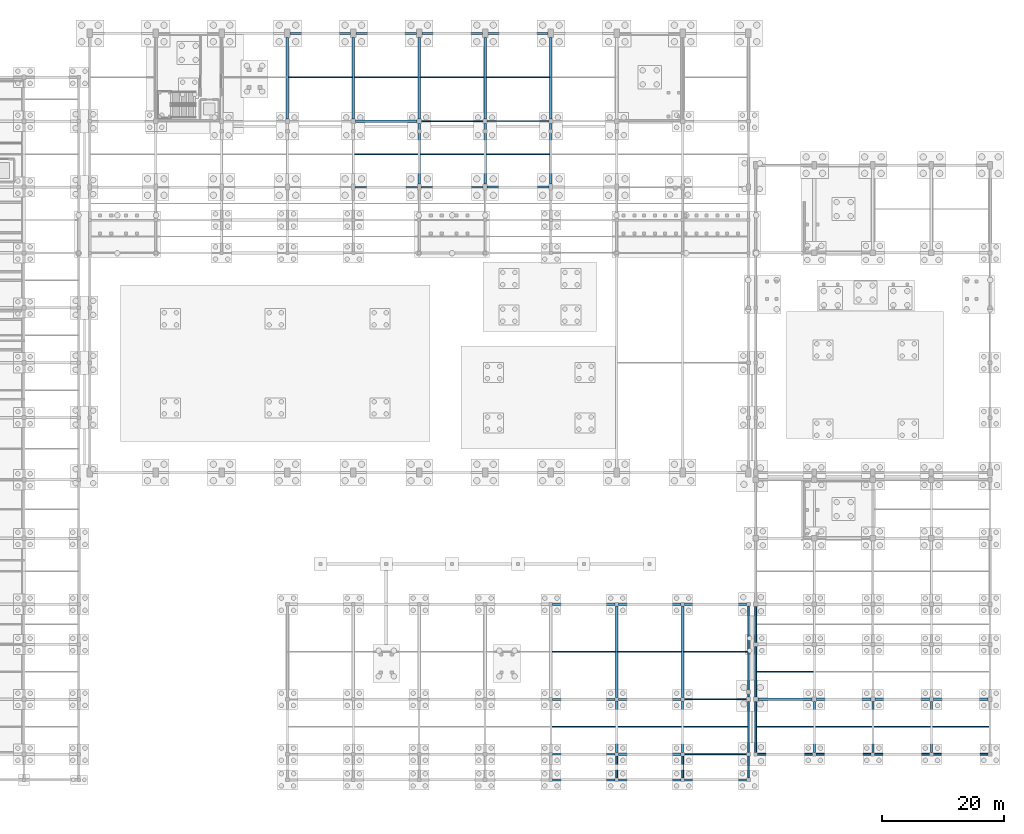
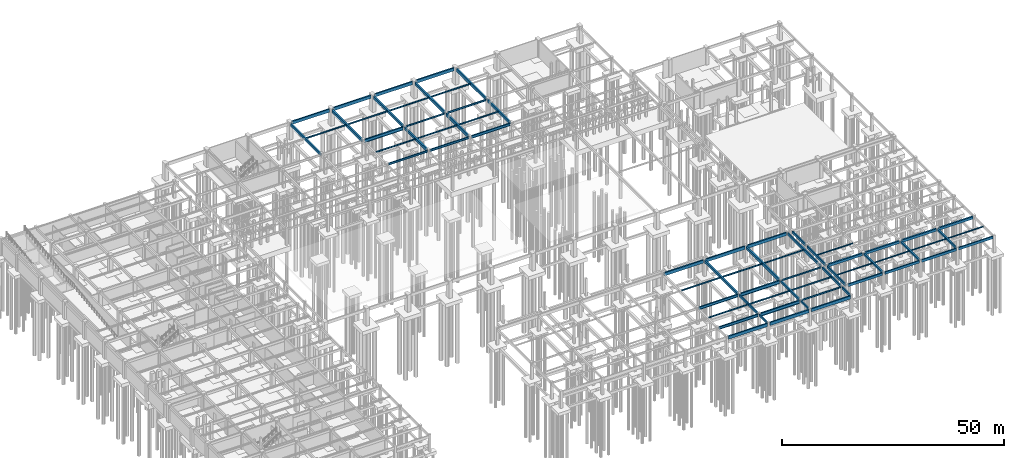
# One storey, part 18 of 33: 71 beams.
"""IFC4 building model written with IfcOpenShell, lengths in metres."""

import ifcopenshell
import ifcopenshell.guid

model = None  # the IFC model being written
_history = None  # IfcOwnerHistory: only IFC2X3 demands one
_inside = {}  # id of a spatial element -> (the spatial element, [elements in it])
_under = {}  # id of a project, library or spatial element -> (it, [spatial elements below it])
_declared = {}  # id of a project -> (the project, [libraries it declares])
_typed = {}  # id of a type object -> (the type object, [elements of that type])
_made_of = {}  # id of a material, layer set ... -> (it, [elements and type objects made of it])


def new_model(schema):
    """Start an empty IFC model of exactly this schema.

    Asked for "IFC4X3", IfcOpenShell would pick the latest addendum, in which some entities
    have other attributes; the version numbers below select the first issue.
    IFC2X3 requires an IfcOwnerHistory on every rooted entity: one is made here for all.
    """
    global model, _history
    if schema == "IFC4X3":
        model = ifcopenshell.file(schema_version=(4, 3, 0, 0))
    else:
        model = ifcopenshell.file(schema=schema)
    _inside.clear()
    _under.clear()
    _declared.clear()
    _typed.clear()
    _made_of.clear()
    _history = None
    if model.schema == "IFC2X3":
        org = make("IfcOrganization", Name="unknown")
        user = make(
            "IfcPersonAndOrganization",
            ThePerson=make("IfcPerson", FamilyName="unknown"),
            TheOrganization=org,
        )
        app = make(
            "IfcApplication",
            ApplicationDeveloper=org,
            Version="unknown",
            ApplicationFullName="unknown",
            ApplicationIdentifier="unknown",
        )
        _history = make(
            "IfcOwnerHistory",
            OwningUser=user,
            OwningApplication=app,
            ChangeAction="ADDED",
            CreationDate=0,
        )
    return model


def make(cls, **values):
    """One entity of the class cls with the attributes given. An attribute that is None is left unset."""
    return model.create_entity(
        cls, **{name: value for name, value in values.items() if value is not None}
    )


def rooted(cls, **values):
    """An entity with a GlobalId (a new one), such as an element, a storey or a relation."""
    return make(cls, GlobalId=ifcopenshell.guid.new(), OwnerHistory=_history, **values)


def si_unit(unit_type, name, prefix=None):
    """IfcSIUnit, for example si_unit("LENGTHUNIT", "METRE", prefix="MILLI")."""
    return make("IfcSIUnit", UnitType=unit_type, Prefix=prefix, Name=name)


def assignment(units):
    """IfcUnitAssignment: the units of a project."""
    return None if units is None else make("IfcUnitAssignment", Units=units)


def point(xyz):
    """IfcCartesianPoint."""
    return None if xyz is None else make("IfcCartesianPoint", Coordinates=xyz)


def direction(xyz):
    """IfcDirection."""
    return None if xyz is None else make("IfcDirection", DirectionRatios=xyz)


def frame(location, z_axis=None, x_axis=None):
    """IfcAxis2Placement3D, a coordinate frame: its origin and axes. An axis left out is left unset."""
    return make(
        "IfcAxis2Placement3D",
        Location=point(location),
        Axis=direction(z_axis),
        RefDirection=direction(x_axis),
    )


def frame_2d(location, x_axis=None):
    """IfcAxis2Placement2D, a coordinate frame in the plane: its origin and x axis."""
    return make(
        "IfcAxis2Placement2D", Location=point(location), RefDirection=direction(x_axis)
    )


def origin():
    """The frame at (0, 0, 0) with its axes left unset."""
    return frame((0.0, 0.0, 0.0))


def origin_2d():
    """The frame at (0, 0) in the plane with its x axis left unset."""
    return frame_2d((0.0, 0.0))


def place(relative_to, where):
    """IfcLocalPlacement: puts the frame where relative to a parent placement (None: the world)."""
    return make(
        "IfcLocalPlacement", PlacementRelTo=relative_to, RelativePlacement=where
    )


def context(
    kind, dimensions, precision=None, world=None, true_north=None, identifier=None
):
    """IfcGeometricRepresentationContext, for example the 3D "Model" context."""
    return make(
        "IfcGeometricRepresentationContext",
        ContextIdentifier=identifier,
        ContextType=kind,
        CoordinateSpaceDimension=dimensions,
        Precision=precision,
        WorldCoordinateSystem=world,
        TrueNorth=true_north,
    )


def subcontext(parent, identifier, kind, view, scale=None):
    """IfcGeometricRepresentationSubContext, for example "Body" below "Model"."""
    return make(
        "IfcGeometricRepresentationSubContext",
        ContextIdentifier=identifier,
        ContextType=kind,
        ParentContext=parent,
        TargetScale=scale,
        TargetView=view,
    )


def project(units=None, contexts=None):
    """IfcProject with its units and contexts."""
    return rooted(
        "IfcProject",
        Name="project",
        RepresentationContexts=contexts,
        UnitsInContext=assignment(units),
    )


def spatial(cls, under=None, at=None, **own):
    """A site, building, storey or space (cls), placed at a placement, below another one or the project."""
    s = rooted(cls, ObjectPlacement=at, **own)
    if under is not None:
        _under.setdefault(under.id(), (under, []))[1].append(s)
    return s


def profile(cls, at=None, kind="AREA", **sizes):
    """A parametric profile (cls). Its sizes go by their IFC names, for example OverallWidth=200.0."""
    return make(cls, ProfileType=kind, Position=at, **sizes)


def rectangle(**sizes):
    """IfcRectangleProfileDef."""
    return profile("IfcRectangleProfileDef", **sizes)


def i_section(**sizes):
    """IfcIShapeProfileDef."""
    return profile("IfcIShapeProfileDef", **sizes)


def extrude(swept, where, along, depth):
    """IfcExtrudedAreaSolid: the profile swept, set in the frame where, extruded along a direction by depth."""
    return make(
        "IfcExtrudedAreaSolid",
        SweptArea=swept,
        Position=where,
        ExtrudedDirection=direction(along),
        Depth=depth,
    )


def shape(context_of_items, identifier, shape_type, items):
    """IfcShapeRepresentation: the items that make up one representation, for example the "Body"."""
    return make(
        "IfcShapeRepresentation",
        ContextOfItems=context_of_items,
        RepresentationIdentifier=identifier,
        RepresentationType=shape_type,
        Items=items,
    )


def material(Name=None, Category=None):
    """IfcMaterial."""
    return make("IfcMaterial", Name=Name, Category=Category)


def material_profile(
    of_material, cross_section, Name=None, Category=None, Priority=None
):
    """IfcMaterialProfile: a cross section and its material."""
    return make(
        "IfcMaterialProfile",
        Name=Name,
        Material=of_material,
        Profile=cross_section,
        Priority=Priority,
        Category=Category,
    )


def profile_set(profiles, Name=None, composite=None):
    """IfcMaterialProfileSet."""
    return make(
        "IfcMaterialProfileSet",
        Name=Name,
        MaterialProfiles=profiles,
        CompositeProfile=composite,
    )


def made_of(thing, what):
    """Note that an element or type object is made of a material, layer set ...; save() writes the relation."""
    if what is not None:
        _made_of.setdefault(what.id(), (what, []))[1].append(thing)
    return thing


def type_object(cls, material=None, **own):
    """A type object (cls), such as IfcWallType, which elements share."""
    return made_of(rooted(cls, **own), material)


def element(
    cls,
    number,
    at=None,
    inside=None,
    cuts=None,
    type_object=None,
    material=None,
    context=None,
    identifier="Body",
    shape_type=None,
    held_by="IfcProductDefinitionShape",
    body=None,
    shapes=None,
    **own,
):
    """One element of the class cls, such as IfcWall. Its Tag is "e" and its number.

    at: its placement. inside: the storey or other place that contains it. cuts: it is an
    opening in that element (IfcRelVoidsElement). A single representation is given by context,
    identifier, shape_type and body (its items); several are given by shapes. held_by: the class
    of the entity that holds the representations. save() writes the other relations.
    """
    e = rooted(cls, Tag="e%d" % number, ObjectPlacement=at, **own)
    if body is not None:
        shapes = [shape(context, identifier, shape_type, body)]
    if shapes is not None:
        e.Representation = make(held_by, Representations=shapes)
    if inside is not None:
        _inside.setdefault(inside.id(), (inside, []))[1].append(e)
    if cuts is not None:
        rooted(
            "IfcRelVoidsElement", RelatingBuildingElement=cuts, RelatedOpeningElement=e
        )
    if type_object is not None:
        _typed.setdefault(type_object.id(), (type_object, []))[1].append(e)
    return made_of(e, material)


def aggregate(whole, parts):
    """IfcRelAggregates: a whole, such as a stair, and the parts it consists of."""
    return rooted("IfcRelAggregates", RelatingObject=whole, RelatedObjects=parts)


def save(model, path):
    """Write the relations noted so far, then the file.

    IfcRelAggregates (storeys below a building ...), IfcRelContainedInSpatialStructure (elements
    in a storey), IfcRelDefinesByType, IfcRelAssociatesMaterial and IfcRelDeclares: one each for
    every whole, place, type object, material and project.
    """
    for whole, parts in _under.values():
        aggregate(whole, parts)
    for where, things in _inside.values():
        rooted(
            "IfcRelContainedInSpatialStructure",
            RelatedElements=things,
            RelatingStructure=where,
        )
    for kind, things in _typed.values():
        rooted("IfcRelDefinesByType", RelatedObjects=things, RelatingType=kind)
    for what, things in _made_of.values():
        rooted("IfcRelAssociatesMaterial", RelatedObjects=things, RelatingMaterial=what)
    for by, libraries in _declared.values():
        rooted("IfcRelDeclares", RelatingContext=by, RelatedDefinitions=libraries)
    model.write(path)


model = new_model("IFC4")

# Units and contexts
model_context = context("Model", 3, precision=1e-05, world=origin(), true_north=direction((0.0, 1.0)))
body_context = subcontext(model_context, "Body", "Model", "MODEL_VIEW")
ifc_project = project(units=[si_unit("LENGTHUNIT", "METRE"), si_unit("AREAUNIT", "SQUARE_METRE"), si_unit("VOLUMEUNIT", "CUBIC_METRE"), si_unit("PLANEANGLEUNIT", "RADIAN"), si_unit("MASSUNIT", "GRAM", prefix="KILO")], contexts=[model_context])

# Site, building, storey
site_placement = place(None, origin())
site = spatial("IfcSite", under=ifc_project, at=site_placement, CompositionType="ELEMENT")
building_placement = place(site_placement, origin())
building = spatial("IfcBuilding", under=site, at=building_placement, Name="Suirenkawa Promenade Aquatics Centre", CompositionType="ELEMENT")
storey_placement = place(building_placement, frame((0.0, 0.0, -4.800048828125)))
storey = spatial("IfcBuildingStorey", under=building, at=storey_placement, Name="B1", CompositionType="ELEMENT", Elevation=-4.800048828125)

# Beams
ifc_material_1 = material(Name="Steel IS 2062 E350 (Grade 350)", Category="steel")
ifc_material_profile_1 = material_profile(ifc_material_1, i_section(OverallWidth=0.139892578125, OverallDepth=0.35009765625, WebThickness=0.008056640625, FlangeThickness=0.013916015625, at=origin_2d()), Name="ISMB 350", Category="steel")
ifc_profile_set_1 = profile_set([ifc_material_profile_1], Name="Steel IS 2062 E350 (Grade 350)")
beam_type_1 = type_object("IfcBeamType", Name="BT-JOIST-ISMB350", PredefinedType="JOIST", material=ifc_profile_set_1)
for number, where, z_axis, x_axis, name in (
    (1, (156.14404296875, 8.699951171875, 4.363037109375), (1.0, 0.0, 0.0), (0.0, 1.0, 0.0), "Secondary floor joist JS-03 BM-1591"),
    (2, (156.14404296875, 17.699951171875, 4.363037109375), (1.0, 0.0, 0.0), (0.0, 1.0, 0.0), "Secondary floor joist JS-03 BM-1592"),
):
    element("IfcBeam", number, at=place(storey_placement, frame(where, z_axis=z_axis, x_axis=x_axis)), inside=storey, type_object=beam_type_1, Name=name, PredefinedType="JOIST", context=body_context, shape_type="SweptSolid", body=[
        extrude(i_section(OverallWidth=0.139892578125, OverallDepth=0.35009765625, WebThickness=0.008056640625, FlangeThickness=0.013916015625, at=origin_2d()), origin(), (0.0, 0.0, 1.0), 9.286865234375),
    ])
beam_1_placement = place(storey_placement, frame((165.76904296875, 8.699951171875, 4.363037109375), z_axis=(1.0, 0.0, 0.0), x_axis=(0.0, 1.0, 0.0)))
element("IfcBeam", 3, at=beam_1_placement, inside=storey, type_object=beam_type_1, Name="Secondary floor joist JS-03 BM-1595", PredefinedType="JOIST", context=body_context, shape_type="SweptSolid", body=[
    extrude(i_section(OverallWidth=0.139892578125, OverallDepth=0.35009765625, WebThickness=0.008056640625, FlangeThickness=0.013916015625, at=origin_2d()), origin(), (0.0, 0.0, 1.0), 9.261962890625),
])
beam_2_placement = place(storey_placement, frame((175.368896484375, 8.699951171875, 4.363037109375), z_axis=(1.0, 0.0, 0.0), x_axis=(0.0, 1.0, 0.0)))
element("IfcBeam", 4, at=beam_2_placement, inside=storey, type_object=beam_type_1, Name="Secondary floor joist JS-03 BM-1599", PredefinedType="JOIST", context=body_context, shape_type="SweptSolid", body=[
    extrude(i_section(OverallWidth=0.139892578125, OverallDepth=0.35009765625, WebThickness=0.008056640625, FlangeThickness=0.013916015625, at=origin_2d()), origin(), (0.0, 0.0, 1.0), 9.26220703125),
])
beam_3_placement = place(storey_placement, frame((184.968994140625, 8.699951171875, 4.363037109375), z_axis=(1.0, 0.0, 0.0), x_axis=(0.0, 1.0, 0.0)))
element("IfcBeam", 5, at=beam_3_placement, inside=storey, type_object=beam_type_1, Name="Secondary floor joist JS-03 BM-1604", PredefinedType="JOIST", context=body_context, shape_type="SweptSolid", body=[
    extrude(i_section(OverallWidth=0.139892578125, OverallDepth=0.35009765625, WebThickness=0.008056640625, FlangeThickness=0.013916015625, at=origin_2d()), origin(), (0.0, 0.0, 1.0), 9.287109375),
])
ifc_material_profile_2 = material_profile(ifc_material_1, i_section(OverallWidth=0.139892578125, OverallDepth=0.39990234375, WebThickness=0.009033203125, FlangeThickness=0.01611328125, at=origin_2d()), Name="ISMB 400", Category="steel")
ifc_profile_set_2 = profile_set([ifc_material_profile_2], Name="Steel IS 2062 E350 (Grade 350)")
beam_type_2 = type_object("IfcBeamType", Name="BT-JOIST-ISMB400", PredefinedType="JOIST", material=ifc_profile_set_2)
for number, where, z_axis, x_axis, name in (
    (6, (79.39404296875, 115.199951171875, 4.298095703125), (1.0, 0.0, 0.0), (0.0, 1.0, 0.0), "Secondary floor joist JS-04 BM-1030"),
    (7, (90.194091796875, 102.60009765625, 4.298095703125), (1.0, 0.0, 0.0), (0.0, 1.0, 0.0), "Secondary floor joist JS-04 BM-1033"),
    (8, (90.194091796875, 115.199951171875, 4.298095703125), (1.0, 0.0, 0.0), (0.0, 1.0, 0.0), "Secondary floor joist JS-04 BM-1034"),
):
    element("IfcBeam", number, at=place(storey_placement, frame(where, z_axis=z_axis, x_axis=x_axis)), inside=storey, type_object=beam_type_2, Name=name, PredefinedType="JOIST", context=body_context, shape_type="SweptSolid", body=[
        extrude(i_section(OverallWidth=0.139892578125, OverallDepth=0.39990234375, WebThickness=0.009033203125, FlangeThickness=0.01611328125, at=origin_2d()), origin(), (0.0, 0.0, 1.0), 10.411865234375),
    ])
for number, where, z_axis, x_axis, name in (
    (9, (100.993896484375, 102.60009765625, 4.298095703125), (1.0, 0.0, 0.0), (0.0, 1.0, 0.0), "Secondary floor joist JS-04 BM-1037"),
    (10, (100.993896484375, 115.199951171875, 4.298095703125), (1.0, 0.0, 0.0), (0.0, 1.0, 0.0), "Secondary floor joist JS-04 BM-1038"),
    (11, (111.7939453125, 102.60009765625, 4.298095703125), (1.0, 0.0, 0.0), (0.0, 1.0, 0.0), "Secondary floor joist JS-04 BM-1041"),
    (12, (111.7939453125, 115.199951171875, 4.298095703125), (1.0, 0.0, 0.0), (0.0, 1.0, 0.0), "Secondary floor joist JS-04 BM-1042"),
):
    element("IfcBeam", number, at=place(storey_placement, frame(where, z_axis=z_axis, x_axis=x_axis)), inside=storey, type_object=beam_type_2, Name=name, PredefinedType="JOIST", context=body_context, shape_type="SweptSolid", body=[
        extrude(i_section(OverallWidth=0.139892578125, OverallDepth=0.39990234375, WebThickness=0.009033203125, FlangeThickness=0.01611328125, at=origin_2d()), origin(), (0.0, 0.0, 1.0), 10.412109375),
    ])
beam_4_placement = place(storey_placement, frame((122.569091796875, 8.699951171875, 4.318115234375), z_axis=(1.0, 0.0, 0.0), x_axis=(0.0, 1.0, 0.0)))
element("IfcBeam", 13, at=beam_4_placement, inside=storey, type_object=beam_type_2, Name="Secondary floor joist JS-04 BM-1491", PredefinedType="JOIST", context=body_context, shape_type="SweptSolid", body=[
    extrude(i_section(OverallWidth=0.139892578125, OverallDepth=0.39990234375, WebThickness=0.009033203125, FlangeThickness=0.01611328125, at=origin_2d()), origin(), (0.0, 0.0, 1.0), 10.4619140625),
])
beam_5_placement = place(storey_placement, frame((122.593994140625, 21.0, 4.318115234375), z_axis=(1.0, 0.0, 0.0), x_axis=(0.0, 1.0, 0.0)))
element("IfcBeam", 14, at=beam_5_placement, inside=storey, type_object=beam_type_2, Name="Secondary floor joist JS-04 BM-1492", PredefinedType="JOIST", context=body_context, shape_type="SweptSolid", body=[
    extrude(i_section(OverallWidth=0.139892578125, OverallDepth=0.39990234375, WebThickness=0.009033203125, FlangeThickness=0.01611328125, at=origin_2d()), origin(), (0.0, 0.0, 1.0), 10.412109375),
])
beam_6_placement = place(storey_placement, frame((133.368896484375, 8.699951171875, 4.318115234375), z_axis=(1.0, 0.0, 0.0), x_axis=(0.0, 1.0, 0.0)))
element("IfcBeam", 15, at=beam_6_placement, inside=storey, type_object=beam_type_2, Name="Secondary floor joist JS-04 BM-1493", PredefinedType="JOIST", context=body_context, shape_type="SweptSolid", body=[
    extrude(i_section(OverallWidth=0.139892578125, OverallDepth=0.39990234375, WebThickness=0.009033203125, FlangeThickness=0.01611328125, at=origin_2d()), origin(), (0.0, 0.0, 1.0), 10.462158203125),
])
beam_7_placement = place(storey_placement, frame((133.39404296875, 21.0, 4.318115234375), z_axis=(1.0, 0.0, 0.0), x_axis=(0.0, 1.0, 0.0)))
element("IfcBeam", 16, at=beam_7_placement, inside=storey, type_object=beam_type_2, Name="Secondary floor joist JS-04 BM-1494", PredefinedType="JOIST", context=body_context, shape_type="SweptSolid", body=[
    extrude(i_section(OverallWidth=0.139892578125, OverallDepth=0.39990234375, WebThickness=0.009033203125, FlangeThickness=0.01611328125, at=origin_2d()), origin(), (0.0, 0.0, 1.0), 10.411865234375),
])
beam_8_placement = place(storey_placement, frame((144.1689453125, 8.699951171875, 4.318115234375), z_axis=(1.0, 0.0, 0.0), x_axis=(0.0, 1.0, 0.0)))
element("IfcBeam", 17, at=beam_8_placement, inside=storey, type_object=beam_type_2, Name="Secondary floor joist JS-04 BM-1495", PredefinedType="JOIST", context=body_context, shape_type="SweptSolid", body=[
    extrude(i_section(OverallWidth=0.139892578125, OverallDepth=0.39990234375, WebThickness=0.009033203125, FlangeThickness=0.01611328125, at=origin_2d()), origin(), (0.0, 0.0, 1.0), 10.487060546875),
])
beam_9_placement = place(storey_placement, frame((144.194091796875, 21.0, 4.318115234375), z_axis=(1.0, 0.0, 0.0), x_axis=(0.0, 1.0, 0.0)))
element("IfcBeam", 18, at=beam_9_placement, inside=storey, type_object=beam_type_2, Name="Secondary floor joist JS-04 BM-1496", PredefinedType="JOIST", context=body_context, shape_type="SweptSolid", body=[
    extrude(i_section(OverallWidth=0.139892578125, OverallDepth=0.39990234375, WebThickness=0.009033203125, FlangeThickness=0.01611328125, at=origin_2d()), origin(), (0.0, 0.0, 1.0), 10.4619140625),
])
ifc_material_2 = material(Name="Concrete M35", Category="concrete")
ifc_material_profile_3 = material_profile(ifc_material_2, rectangle(XDim=0.300048828125, YDim=0.550048828125, at=origin_2d()), Name="RC BM 300x550", Category="concrete")
ifc_profile_set_3 = profile_set([ifc_material_profile_3], Name="Concrete M35")
beam_type_3 = type_object("IfcBeamType", Name="BT-RC-300x550", PredefinedType="BEAM", material=ifc_profile_set_3)
for number, where, z_axis, x_axis, name in (
    (19, (133.199951171875, 0.2939453125, 4.2451171875), (0.0, 1.0, 0.0), (-1.0, 0.0, 0.0), "Floor beam BM-01 BM-1474"),
    (20, (144.0, 0.2939453125, 4.2451171875), (0.0, 1.0, 0.0), (-1.0, 0.0, 0.0), "Floor beam BM-01 BM-1477"),
):
    element("IfcBeam", number, at=place(storey_placement, frame(where, z_axis=z_axis, x_axis=x_axis)), inside=storey, type_object=beam_type_3, Name=name, PredefinedType="BEAM", context=body_context, shape_type="SweptSolid", body=[
        extrude(rectangle(XDim=0.300048828125, YDim=0.550048828125, at=origin_2d()), origin(), (0.0, 0.0, 1.0), 3.612060546875),
    ])
ifc_material_profile_4 = material_profile(ifc_material_2, rectangle(XDim=0.35009765625, YDim=0.60009765625, at=origin_2d()), Name="RC BM 350x600", Category="concrete")
ifc_profile_set_4 = profile_set([ifc_material_profile_4], Name="Concrete M35")
beam_type_4 = type_object("IfcBeamType", Name="BT-RC-350x600", PredefinedType="BEAM", material=ifc_profile_set_4)
for number, where, z_axis, x_axis, name in (
    (21, (133.199951171875, 4.493896484375, 4.219970703125), (0.0, 1.0, 0.0), (-1.0, 0.0, 0.0), "Floor beam BM-02 BM-1475"),
    (22, (144.0, 4.493896484375, 4.219970703125), (0.0, 1.0, 0.0), (-1.0, 0.0, 0.0), "Floor beam BM-02 BM-1478"),
):
    element("IfcBeam", number, at=place(storey_placement, frame(where, z_axis=z_axis, x_axis=x_axis)), inside=storey, type_object=beam_type_4, Name=name, PredefinedType="BEAM", context=body_context, shape_type="SweptSolid", body=[
        extrude(rectangle(XDim=0.35009765625, YDim=0.60009765625, at=origin_2d()), origin(), (0.0, 0.0, 1.0), 8.412109375),
    ])
for number, where, z_axis, x_axis, name in (
    (23, (165.60009765625, 4.493896484375, 4.239990234375), (0.0, 1.0, 0.0), (-1.0, 0.0, 0.0), "Floor beam BM-02 BM-1572"),
    (24, (175.199951171875, 4.493896484375, 4.239990234375), (0.0, 1.0, 0.0), (-1.0, 0.0, 0.0), "Floor beam BM-02 BM-1576"),
    (25, (184.800048828125, 4.493896484375, 4.239990234375), (0.0, 1.0, 0.0), (-1.0, 0.0, 0.0), "Floor beam BM-02 BM-1581"),
):
    element("IfcBeam", number, at=place(storey_placement, frame(where, z_axis=z_axis, x_axis=x_axis)), inside=storey, type_object=beam_type_4, Name=name, PredefinedType="BEAM", context=body_context, shape_type="SweptSolid", body=[
        extrude(rectangle(XDim=0.35009765625, YDim=0.60009765625, at=origin_2d()), origin(), (0.0, 0.0, 1.0), 8.362060546875),
    ])
ifc_material_profile_5 = material_profile(ifc_material_2, rectangle(XDim=0.39990234375, YDim=0.699951171875, at=origin_2d()), Name="RC BM 400x700", Category="concrete")
ifc_profile_set_5 = profile_set([ifc_material_profile_5], Name="Concrete M35")
beam_type_5 = type_object("IfcBeamType", Name="BT-RC-400x700", PredefinedType="BEAM", material=ifc_profile_set_5)
beam_10_placement = place(storey_placement, frame((156.343994140625, 13.199951171875, 4.18994140625), z_axis=(1.0, 0.0, 0.0), x_axis=(0.0, 1.0, 0.0)))
element("IfcBeam", 26, at=beam_10_placement, inside=storey, type_object=beam_type_5, Name="Floor beam BM-04 BM-1547", PredefinedType="BEAM", context=body_context, shape_type="SweptSolid", body=[
    extrude(rectangle(XDim=0.39990234375, YDim=0.699951171875, at=origin_2d()), origin(), (0.0, 0.0, 1.0), 8.912109375),
])
beam_11_placement = place(storey_placement, frame((165.944091796875, 13.199951171875, 4.18994140625), z_axis=(1.0, 0.0, 0.0), x_axis=(0.0, 1.0, 0.0)))
element("IfcBeam", 27, at=beam_11_placement, inside=storey, type_object=beam_type_5, Name="Floor beam BM-04 BM-1548", PredefinedType="BEAM", context=body_context, shape_type="SweptSolid", body=[
    extrude(rectangle(XDim=0.39990234375, YDim=0.699951171875, at=origin_2d()), origin(), (0.0, 0.0, 1.0), 8.911865234375),
])
beam_12_placement = place(storey_placement, frame((175.5439453125, 13.199951171875, 4.18994140625), z_axis=(1.0, 0.0, 0.0), x_axis=(0.0, 1.0, 0.0)))
element("IfcBeam", 28, at=beam_12_placement, inside=storey, type_object=beam_type_5, Name="Floor beam BM-04 BM-1549", PredefinedType="BEAM", context=body_context, shape_type="SweptSolid", body=[
    extrude(rectangle(XDim=0.39990234375, YDim=0.699951171875, at=origin_2d()), origin(), (0.0, 0.0, 1.0), 8.912109375),
])
beam_13_placement = place(storey_placement, frame((185.14404296875, 13.199951171875, 4.18994140625), z_axis=(1.0, 0.0, 0.0), x_axis=(0.0, 1.0, 0.0)))
element("IfcBeam", 29, at=beam_13_placement, inside=storey, type_object=beam_type_5, Name="Floor beam BM-04 BM-1550", PredefinedType="BEAM", context=body_context, shape_type="SweptSolid", body=[
    extrude(rectangle(XDim=0.39990234375, YDim=0.699951171875, at=origin_2d()), origin(), (0.0, 0.0, 1.0), 8.911865234375),
])
ifc_material_3 = material(Name="Concrete M40", Category="concrete")
ifc_material_profile_6 = material_profile(ifc_material_3, rectangle(XDim=0.39990234375, YDim=0.75, at=origin_2d()), Name="RC BM 400x750", Category="concrete")
ifc_profile_set_6 = profile_set([ifc_material_profile_6], Name="Concrete M40")
beam_type_6 = type_object("IfcBeamType", Name="BT-RC-400x750", PredefinedType="BEAM", material=ifc_profile_set_6)
for number, where, z_axis, x_axis, name in (
    (30, (79.199951171875, 108.343994140625, 4.125), (0.0, 1.0, 0.0), (-1.0, 0.0, 0.0), "Floor beam BM-05 BM-0984"),
    (31, (90.0, 108.343994140625, 4.125), (0.0, 1.0, 0.0), (-1.0, 0.0, 0.0), "Floor beam BM-05 BM-0988"),
):
    element("IfcBeam", number, at=place(storey_placement, frame(where, z_axis=z_axis, x_axis=x_axis)), inside=storey, type_object=beam_type_6, Name=name, PredefinedType="BEAM", context=body_context, shape_type="SweptSolid", body=[
        extrude(rectangle(XDim=0.39990234375, YDim=0.75, at=origin_2d()), origin(), (0.0, 0.0, 1.0), 13.362060546875),
    ])
beam_14_placement = place(storey_placement, frame((100.800048828125, 97.694091796875, 4.125), z_axis=(0.0, 1.0, 0.0), x_axis=(-1.0, 0.0, 0.0)))
element("IfcBeam", 32, at=beam_14_placement, inside=storey, type_object=beam_type_6, Name="Floor beam BM-05 BM-0991", PredefinedType="BEAM", context=body_context, shape_type="SweptSolid", body=[
    extrude(rectangle(XDim=0.39990234375, YDim=0.75, at=origin_2d()), origin(), (0.0, 0.0, 1.0), 9.9619140625),
])
beam_15_placement = place(storey_placement, frame((100.800048828125, 108.343994140625, 4.125), z_axis=(0.0, 1.0, 0.0), x_axis=(-1.0, 0.0, 0.0)))
element("IfcBeam", 33, at=beam_15_placement, inside=storey, type_object=beam_type_6, Name="Floor beam BM-05 BM-0992", PredefinedType="BEAM", context=body_context, shape_type="SweptSolid", body=[
    extrude(rectangle(XDim=0.39990234375, YDim=0.75, at=origin_2d()), origin(), (0.0, 0.0, 1.0), 13.362060546875),
])
beam_16_placement = place(storey_placement, frame((111.60009765625, 97.694091796875, 4.125), z_axis=(0.0, 1.0, 0.0), x_axis=(-1.0, 0.0, 0.0)))
element("IfcBeam", 34, at=beam_16_placement, inside=storey, type_object=beam_type_6, Name="Floor beam BM-05 BM-0995", PredefinedType="BEAM", context=body_context, shape_type="SweptSolid", body=[
    extrude(rectangle(XDim=0.39990234375, YDim=0.75, at=origin_2d()), origin(), (0.0, 0.0, 1.0), 9.9619140625),
])
beam_17_placement = place(storey_placement, frame((111.60009765625, 108.343994140625, 4.125), z_axis=(0.0, 1.0, 0.0), x_axis=(-1.0, 0.0, 0.0)))
element("IfcBeam", 35, at=beam_17_placement, inside=storey, type_object=beam_type_6, Name="Floor beam BM-05 BM-0996", PredefinedType="BEAM", context=body_context, shape_type="SweptSolid", body=[
    extrude(rectangle(XDim=0.39990234375, YDim=0.75, at=origin_2d()), origin(), (0.0, 0.0, 1.0), 13.362060546875),
])
beam_18_placement = place(storey_placement, frame((122.39990234375, 97.694091796875, 4.125), z_axis=(0.0, 1.0, 0.0), x_axis=(-1.0, 0.0, 0.0)))
element("IfcBeam", 36, at=beam_18_placement, inside=storey, type_object=beam_type_6, Name="Floor beam BM-05 BM-0999", PredefinedType="BEAM", context=body_context, shape_type="SweptSolid", body=[
    extrude(rectangle(XDim=0.39990234375, YDim=0.75, at=origin_2d()), origin(), (0.0, 0.0, 1.0), 9.9619140625),
])
beam_19_placement = place(storey_placement, frame((122.39990234375, 108.343994140625, 4.125), z_axis=(0.0, 1.0, 0.0), x_axis=(-1.0, 0.0, 0.0)))
element("IfcBeam", 37, at=beam_19_placement, inside=storey, type_object=beam_type_6, Name="Floor beam BM-05 BM-1000", PredefinedType="BEAM", context=body_context, shape_type="SweptSolid", body=[
    extrude(rectangle(XDim=0.39990234375, YDim=0.75, at=origin_2d()), origin(), (0.0, 0.0, 1.0), 13.362060546875),
])
for number, where, z_axis, x_axis, name in (
    (38, (133.199951171875, 13.493896484375, 4.14501953125), (0.0, 1.0, 0.0), (-1.0, 0.0, 0.0), "Floor beam BM-05 BM-1476"),
    (39, (144.0, 13.493896484375, 4.14501953125), (0.0, 1.0, 0.0), (-1.0, 0.0, 0.0), "Floor beam BM-05 BM-1479"),
):
    element("IfcBeam", number, at=place(storey_placement, frame(where, z_axis=z_axis, x_axis=x_axis)), inside=storey, type_object=beam_type_6, Name=name, PredefinedType="BEAM", context=body_context, shape_type="SweptSolid", body=[
        extrude(rectangle(XDim=0.39990234375, YDim=0.75, at=origin_2d()), origin(), (0.0, 0.0, 1.0), 15.01220703125),
    ])
ifc_material_profile_7 = material_profile(ifc_material_3, rectangle(XDim=0.300048828125, YDim=0.699951171875, at=origin_2d()), Name="RC SPANDREL 300x700", Category="concrete")
ifc_profile_set_7 = profile_set([ifc_material_profile_7], Name="Concrete M40")
beam_type_7 = type_object("IfcBeamType", Name="BT-SPANDREL-300x700", PredefinedType="SPANDREL", material=ifc_profile_set_7)
beam_20_placement = place(storey_placement, frame((154.800048828125, 0.2939453125, 4.170166015625), z_axis=(0.0, 1.0, 0.0), x_axis=(-1.0, 0.0, 0.0)))
element("IfcBeam", 40, at=beam_20_placement, inside=storey, type_object=beam_type_7, Name="Floor beam SP-01 BM-1480", PredefinedType="SPANDREL", context=body_context, shape_type="SweptSolid", body=[
    extrude(rectangle(XDim=0.300048828125, YDim=0.699951171875, at=origin_2d()), origin(), (0.0, 0.0, 1.0), 3.612060546875),
])
beam_21_placement = place(storey_placement, frame((154.800048828125, 4.493896484375, 4.170166015625), z_axis=(0.0, 1.0, 0.0), x_axis=(-1.0, 0.0, 0.0)))
element("IfcBeam", 41, at=beam_21_placement, inside=storey, type_object=beam_type_7, Name="Floor beam SP-01 BM-1481", PredefinedType="SPANDREL", context=body_context, shape_type="SweptSolid", body=[
    extrude(rectangle(XDim=0.300048828125, YDim=0.699951171875, at=origin_2d()), origin(), (0.0, 0.0, 1.0), 8.362060546875),
])
beam_22_placement = place(storey_placement, frame((154.800048828125, 13.5439453125, 4.170166015625), z_axis=(0.0, 1.0, 0.0), x_axis=(-1.0, 0.0, 0.0)))
element("IfcBeam", 42, at=beam_22_placement, inside=storey, type_object=beam_type_7, Name="Floor beam SP-01 BM-1482", PredefinedType="SPANDREL", context=body_context, shape_type="SweptSolid", body=[
    extrude(rectangle(XDim=0.300048828125, YDim=0.699951171875, at=origin_2d()), origin(), (0.0, 0.0, 1.0), 14.962158203125),
])
for number, where, z_axis, x_axis, name in (
    (43, (156.2939453125, 4.199951171875, 4.18994140625), (1.0, 0.0, 0.0), (0.0, 1.0, 0.0), "Floor beam SP-01 BM-1543"),
    (44, (165.89404296875, 4.199951171875, 4.18994140625), (1.0, 0.0, 0.0), (0.0, 1.0, 0.0), "Floor beam SP-01 BM-1544"),
):
    element("IfcBeam", number, at=place(storey_placement, frame(where, z_axis=z_axis, x_axis=x_axis)), inside=storey, type_object=beam_type_7, Name=name, PredefinedType="SPANDREL", context=body_context, shape_type="SweptSolid", body=[
        extrude(rectangle(XDim=0.300048828125, YDim=0.699951171875, at=origin_2d()), origin(), (0.0, 0.0, 1.0), 9.011962890625),
    ])
beam_23_placement = place(storey_placement, frame((175.493896484375, 4.199951171875, 4.18994140625), z_axis=(1.0, 0.0, 0.0), x_axis=(0.0, 1.0, 0.0)))
element("IfcBeam", 45, at=beam_23_placement, inside=storey, type_object=beam_type_7, Name="Floor beam SP-01 BM-1545", PredefinedType="SPANDREL", context=body_context, shape_type="SweptSolid", body=[
    extrude(rectangle(XDim=0.300048828125, YDim=0.699951171875, at=origin_2d()), origin(), (0.0, 0.0, 1.0), 9.01220703125),
])
beam_24_placement = place(storey_placement, frame((185.093994140625, 4.199951171875, 4.18994140625), z_axis=(1.0, 0.0, 0.0), x_axis=(0.0, 1.0, 0.0)))
element("IfcBeam", 46, at=beam_24_placement, inside=storey, type_object=beam_type_7, Name="Floor beam SP-01 BM-1546", PredefinedType="SPANDREL", context=body_context, shape_type="SweptSolid", body=[
    extrude(rectangle(XDim=0.300048828125, YDim=0.699951171875, at=origin_2d()), origin(), (0.0, 0.0, 1.0), 9.011962890625),
])
beam_25_placement = place(storey_placement, frame((156.0, 4.493896484375, 4.18994140625), z_axis=(0.0, 1.0, 0.0), x_axis=(-1.0, 0.0, 0.0)))
element("IfcBeam", 47, at=beam_25_placement, inside=storey, type_object=beam_type_7, Name="Floor beam SP-01 BM-1567", PredefinedType="SPANDREL", context=body_context, shape_type="SweptSolid", body=[
    extrude(rectangle(XDim=0.300048828125, YDim=0.699951171875, at=origin_2d()), origin(), (0.0, 0.0, 1.0), 8.362060546875),
])
beam_26_placement = place(storey_placement, frame((156.0, 13.5439453125, 4.18994140625), z_axis=(0.0, 1.0, 0.0), x_axis=(-1.0, 0.0, 0.0)))
element("IfcBeam", 48, at=beam_26_placement, inside=storey, type_object=beam_type_7, Name="Floor beam SP-01 BM-1568", PredefinedType="SPANDREL", context=body_context, shape_type="SweptSolid", body=[
    extrude(rectangle(XDim=0.300048828125, YDim=0.699951171875, at=origin_2d()), origin(), (0.0, 0.0, 1.0), 8.31201171875),
])
beam_27_placement = place(storey_placement, frame((156.0, 22.5439453125, 4.18994140625), z_axis=(0.0, 1.0, 0.0), x_axis=(-1.0, 0.0, 0.0)))
element("IfcBeam", 49, at=beam_27_placement, inside=storey, type_object=beam_type_7, Name="Floor beam SP-01 BM-1569", PredefinedType="SPANDREL", context=body_context, shape_type="SweptSolid", body=[
    extrude(rectangle(XDim=0.300048828125, YDim=0.699951171875, at=origin_2d()), origin(), (0.0, 0.0, 1.0), 5.912109375),
])
ifc_material_profile_8 = material_profile(ifc_material_3, rectangle(XDim=0.35009765625, YDim=0.85009765625, at=origin_2d()), Name="RC SPANDREL 350x850", Category="concrete")
ifc_profile_set_8 = profile_set([ifc_material_profile_8], Name="Concrete M40")
beam_type_8 = type_object("IfcBeamType", Name="BT-SPANDREL-350x850", PredefinedType="SPANDREL", material=ifc_profile_set_8)
for number, where, z_axis, x_axis, name in (
    (50, (79.64404296875, 122.39990234375, 4.074951171875), (1.0, 0.0, 0.0), (0.0, 1.0, 0.0), "Floor beam SP-02 BM-0961"),
    (51, (90.444091796875, 122.39990234375, 4.074951171875), (1.0, 0.0, 0.0), (0.0, 1.0, 0.0), "Floor beam SP-02 BM-0962"),
):
    element("IfcBeam", number, at=place(storey_placement, frame(where, z_axis=z_axis, x_axis=x_axis)), inside=storey, type_object=beam_type_8, Name=name, PredefinedType="SPANDREL", context=body_context, shape_type="SweptSolid", body=[
        extrude(rectangle(XDim=0.35009765625, YDim=0.85009765625, at=origin_2d()), origin(), (0.0, 0.0, 1.0), 9.911865234375),
    ])
for number, where, z_axis, x_axis, name in (
    (52, (101.243896484375, 122.39990234375, 4.074951171875), (1.0, 0.0, 0.0), (0.0, 1.0, 0.0), "Floor beam SP-02 BM-0963"),
    (53, (112.0439453125, 122.39990234375, 4.074951171875), (1.0, 0.0, 0.0), (0.0, 1.0, 0.0), "Floor beam SP-02 BM-0964"),
):
    element("IfcBeam", number, at=place(storey_placement, frame(where, z_axis=z_axis, x_axis=x_axis)), inside=storey, type_object=beam_type_8, Name=name, PredefinedType="SPANDREL", context=body_context, shape_type="SweptSolid", body=[
        extrude(rectangle(XDim=0.35009765625, YDim=0.85009765625, at=origin_2d()), origin(), (0.0, 0.0, 1.0), 9.912109375),
    ])
beam_28_placement = place(storey_placement, frame((122.694091796875, 0.0, 4.094970703125), z_axis=(1.0, 0.0, 0.0), x_axis=(0.0, 1.0, 0.0)))
element("IfcBeam", 54, at=beam_28_placement, inside=storey, type_object=beam_type_8, Name="Floor beam SP-02 BM-1435", PredefinedType="SPANDREL", context=body_context, shape_type="SweptSolid", body=[
    extrude(rectangle(XDim=0.35009765625, YDim=0.85009765625, at=origin_2d()), origin(), (0.0, 0.0, 1.0), 10.2119140625),
])
for number, where, z_axis, x_axis, name in (
    (55, (133.493896484375, 0.0, 4.094970703125), (1.0, 0.0, 0.0), (0.0, 1.0, 0.0), "Floor beam SP-02 BM-1436"),
    (56, (144.2939453125, 0.0, 4.094970703125), (1.0, 0.0, 0.0), (0.0, 1.0, 0.0), "Floor beam SP-02 BM-1437"),
):
    element("IfcBeam", number, at=place(storey_placement, frame(where, z_axis=z_axis, x_axis=x_axis)), inside=storey, type_object=beam_type_8, Name=name, PredefinedType="SPANDREL", context=body_context, shape_type="SweptSolid", body=[
        extrude(rectangle(XDim=0.35009765625, YDim=0.85009765625, at=origin_2d()), origin(), (0.0, 0.0, 1.0), 10.212158203125),
    ])
beam_29_placement = place(storey_placement, frame((122.694091796875, 28.800048828125, 4.094970703125), z_axis=(1.0, 0.0, 0.0), x_axis=(0.0, 1.0, 0.0)))
element("IfcBeam", 57, at=beam_29_placement, inside=storey, type_object=beam_type_8, Name="Floor beam SP-02 BM-1456", PredefinedType="SPANDREL", context=body_context, shape_type="SweptSolid", body=[
    extrude(rectangle(XDim=0.35009765625, YDim=0.85009765625, at=origin_2d()), origin(), (0.0, 0.0, 1.0), 10.2119140625),
])
for number, where, z_axis, x_axis, name in (
    (58, (133.493896484375, 28.800048828125, 4.094970703125), (1.0, 0.0, 0.0), (0.0, 1.0, 0.0), "Floor beam SP-02 BM-1457"),
    (59, (144.2939453125, 28.800048828125, 4.094970703125), (1.0, 0.0, 0.0), (0.0, 1.0, 0.0), "Floor beam SP-02 BM-1458"),
):
    element("IfcBeam", number, at=place(storey_placement, frame(where, z_axis=z_axis, x_axis=x_axis)), inside=storey, type_object=beam_type_8, Name=name, PredefinedType="SPANDREL", context=body_context, shape_type="SweptSolid", body=[
        extrude(rectangle(XDim=0.35009765625, YDim=0.85009765625, at=origin_2d()), origin(), (0.0, 0.0, 1.0), 10.212158203125),
    ])
ifc_material_profile_9 = material_profile(ifc_material_1, i_section(OverallWidth=0.14990234375, OverallDepth=0.449951171875, WebThickness=0.009033203125, FlangeThickness=0.01708984375, at=origin_2d()), Name="ISMB 450", Category="steel")
ifc_profile_set_9 = profile_set([ifc_material_profile_9], Name="Steel IS 2062 E350 (Grade 350)")
beam_type_9 = type_object("IfcBeamType", Name="BT-STL-ISMB450", PredefinedType="BEAM", material=ifc_profile_set_9)
beam_30_placement = place(storey_placement, frame((101.14404296875, 108.0, 4.275146484375), z_axis=(1.0, 0.0, 0.0), x_axis=(0.0, 1.0, 0.0)))
element("IfcBeam", 60, at=beam_30_placement, inside=storey, type_object=beam_type_9, Name="Floor beam BM-08 BM-0953", PredefinedType="BEAM", context=body_context, shape_type="SweptSolid", body=[
    extrude(i_section(OverallWidth=0.14990234375, OverallDepth=0.449951171875, WebThickness=0.009033203125, FlangeThickness=0.01708984375, at=origin_2d()), origin(), (0.0, 0.0, 1.0), 10.112060546875),
])
beam_31_placement = place(storey_placement, frame((144.2939453125, 4.199951171875, 4.295166015625), z_axis=(1.0, 0.0, 0.0), x_axis=(0.0, 1.0, 0.0)))
element("IfcBeam", 61, at=beam_31_placement, inside=storey, type_object=beam_type_9, Name="Floor beam BM-08 BM-1444", PredefinedType="BEAM", context=body_context, shape_type="SweptSolid", body=[
    extrude(i_section(OverallWidth=0.14990234375, OverallDepth=0.449951171875, WebThickness=0.009033203125, FlangeThickness=0.01708984375, at=origin_2d()), origin(), (0.0, 0.0, 1.0), 10.212158203125),
])
beam_32_placement = place(storey_placement, frame((144.2939453125, 13.199951171875, 4.295166015625), z_axis=(1.0, 0.0, 0.0), x_axis=(0.0, 1.0, 0.0)))
element("IfcBeam", 62, at=beam_32_placement, inside=storey, type_object=beam_type_9, Name="Floor beam BM-08 BM-1451", PredefinedType="BEAM", context=body_context, shape_type="SweptSolid", body=[
    extrude(i_section(OverallWidth=0.14990234375, OverallDepth=0.449951171875, WebThickness=0.009033203125, FlangeThickness=0.01708984375, at=origin_2d()), origin(), (0.0, 0.0, 1.0), 10.162109375),
])
ifc_material_profile_10 = material_profile(ifc_material_1, i_section(OverallWidth=0.179931640625, OverallDepth=0.5, WebThickness=0.010009765625, FlangeThickness=0.01708984375, at=origin_2d()), Name="ISMB 500", Category="steel")
ifc_profile_set_10 = profile_set([ifc_material_profile_10], Name="Steel IS 2062 E350 (Grade 350)")
beam_type_10 = type_object("IfcBeamType", Name="BT-STL-ISMB500", PredefinedType="BEAM", material=ifc_profile_set_10)
beam_33_placement = place(storey_placement, frame((111.944091796875, 108.0, 4.25), z_axis=(1.0, 0.0, 0.0), x_axis=(0.0, 1.0, 0.0)))
element("IfcBeam", 63, at=beam_33_placement, inside=storey, type_object=beam_type_10, Name="Floor beam BM-09 BM-0954", PredefinedType="BEAM", context=body_context, shape_type="SweptSolid", body=[
    extrude(i_section(OverallWidth=0.179931640625, OverallDepth=0.5, WebThickness=0.010009765625, FlangeThickness=0.01708984375, at=origin_2d()), origin(), (0.0, 0.0, 1.0), 10.11181640625),
])
ifc_material_profile_11 = material_profile(ifc_material_1, i_section(OverallWidth=0.25, OverallDepth=0.550048828125, WebThickness=0.010986328125, FlangeThickness=0.01806640625, at=origin_2d()), Name="ISWB 550", Category="steel")
ifc_profile_set_11 = profile_set([ifc_material_profile_11], Name="Steel IS 2062 E350 (Grade 350)")
beam_type_11 = type_object("IfcBeamType", Name="BT-STL-ISWB550", PredefinedType="BEAM", material=ifc_profile_set_11)
beam_34_placement = place(storey_placement, frame((90.2939453125, 97.199951171875, 4.22509765625), z_axis=(1.0, 0.0, 0.0), x_axis=(0.0, 1.0, 0.0)))
element("IfcBeam", 64, at=beam_34_placement, inside=storey, type_object=beam_type_11, Name="Floor beam BM-11 BM-0942", PredefinedType="BEAM", context=body_context, shape_type="SweptSolid", body=[
    extrude(i_section(OverallWidth=0.25, OverallDepth=0.550048828125, WebThickness=0.010986328125, FlangeThickness=0.01806640625, at=origin_2d()), origin(), (0.0, 0.0, 1.0), 10.212158203125),
])
ifc_material_profile_12 = material_profile(ifc_material_1, i_section(OverallWidth=0.25, OverallDepth=0.60009765625, WebThickness=0.011962890625, FlangeThickness=0.02392578125, at=origin_2d()), Name="ISWB 600", Category="steel")
ifc_profile_set_12 = profile_set([ifc_material_profile_12], Name="Steel IS 2062 E350 (Grade 350)")
beam_type_12 = type_object("IfcBeamType", Name="BT-STL-ISWB600", PredefinedType="BEAM", material=ifc_profile_set_12)
beam_35_placement = place(storey_placement, frame((101.093994140625, 97.199951171875, 4.199951171875), z_axis=(1.0, 0.0, 0.0), x_axis=(0.0, 1.0, 0.0)))
element("IfcBeam", 65, at=beam_35_placement, inside=storey, type_object=beam_type_12, Name="Floor beam BM-12 BM-0943", PredefinedType="BEAM", context=body_context, shape_type="SweptSolid", body=[
    extrude(i_section(OverallWidth=0.25, OverallDepth=0.60009765625, WebThickness=0.011962890625, FlangeThickness=0.02392578125, at=origin_2d()), origin(), (0.0, 0.0, 1.0), 10.2119140625),
])
ifc_material_profile_13 = material_profile(ifc_material_1, i_section(OverallWidth=0.300048828125, OverallDepth=0.75, WebThickness=0.013916015625, FlangeThickness=0.02490234375, at=origin_2d()), Name="WPG 750x300", Category="steel")
ifc_profile_set_13 = profile_set([ifc_material_profile_13], Name="Steel IS 2062 E350 (Grade 350)")
beam_type_13 = type_object("IfcBeamType", Name="BT-STL-WPG750", PredefinedType="BEAM", material=ifc_profile_set_13)
for number, where, z_axis, x_axis, name in (
    (66, (111.89404296875, 97.199951171875, 4.125), (1.0, 0.0, 0.0), (0.0, 1.0, 0.0), "Floor beam BM-13 BM-0944"),
    (67, (122.694091796875, 4.199951171875, 4.14501953125), (1.0, 0.0, 0.0), (0.0, 1.0, 0.0), "Floor beam BM-13 BM-1442"),
    (68, (122.694091796875, 13.199951171875, 4.14501953125), (1.0, 0.0, 0.0), (0.0, 1.0, 0.0), "Floor beam BM-13 BM-1449"),
):
    element("IfcBeam", number, at=place(storey_placement, frame(where, z_axis=z_axis, x_axis=x_axis)), inside=storey, type_object=beam_type_13, Name=name, PredefinedType="BEAM", context=body_context, shape_type="SweptSolid", body=[
        extrude(i_section(OverallWidth=0.300048828125, OverallDepth=0.75, WebThickness=0.013916015625, FlangeThickness=0.02490234375, at=origin_2d()), origin(), (0.0, 0.0, 1.0), 10.2119140625),
    ])
ifc_material_profile_14 = material_profile(ifc_material_1, i_section(OverallWidth=0.35009765625, OverallDepth=0.89990234375, WebThickness=0.01611328125, FlangeThickness=0.031982421875, at=origin_2d()), Name="WPG 900x350", Category="steel")
ifc_profile_set_14 = profile_set([ifc_material_profile_14], Name="Steel IS 2062 E350 (Grade 350)")
beam_type_14 = type_object("IfcBeamType", Name="BT-STL-WPG900", PredefinedType="BEAM", material=ifc_profile_set_14)
beam_36_placement = place(storey_placement, frame((90.343994140625, 108.0, 4.050048828125), z_axis=(1.0, 0.0, 0.0), x_axis=(0.0, 1.0, 0.0)))
element("IfcBeam", 69, at=beam_36_placement, inside=storey, type_object=beam_type_14, Name="Floor beam BM-14 BM-0952", PredefinedType="BEAM", context=body_context, shape_type="SweptSolid", body=[
    extrude(i_section(OverallWidth=0.35009765625, OverallDepth=0.89990234375, WebThickness=0.01611328125, FlangeThickness=0.031982421875, at=origin_2d()), origin(), (0.0, 0.0, 1.0), 10.112060546875),
])
for number, where, z_axis, x_axis, name in (
    (70, (133.493896484375, 4.199951171875, 4.070068359375), (1.0, 0.0, 0.0), (0.0, 1.0, 0.0), "Floor beam BM-14 BM-1443"),
    (71, (133.493896484375, 13.199951171875, 4.070068359375), (1.0, 0.0, 0.0), (0.0, 1.0, 0.0), "Floor beam BM-14 BM-1450"),
):
    element("IfcBeam", number, at=place(storey_placement, frame(where, z_axis=z_axis, x_axis=x_axis)), inside=storey, type_object=beam_type_14, Name=name, PredefinedType="BEAM", context=body_context, shape_type="SweptSolid", body=[
        extrude(i_section(OverallWidth=0.35009765625, OverallDepth=0.89990234375, WebThickness=0.01611328125, FlangeThickness=0.031982421875, at=origin_2d()), origin(), (0.0, 0.0, 1.0), 10.212158203125),
    ])

save(model, "model.ifc")
